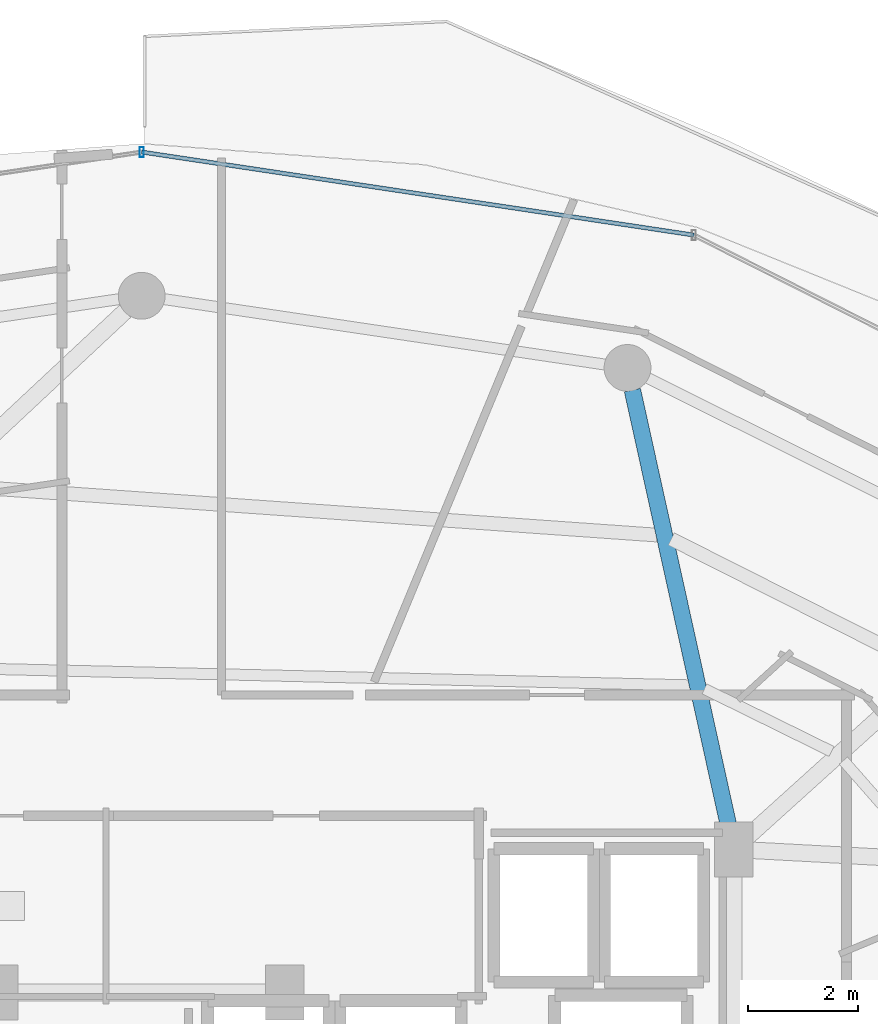
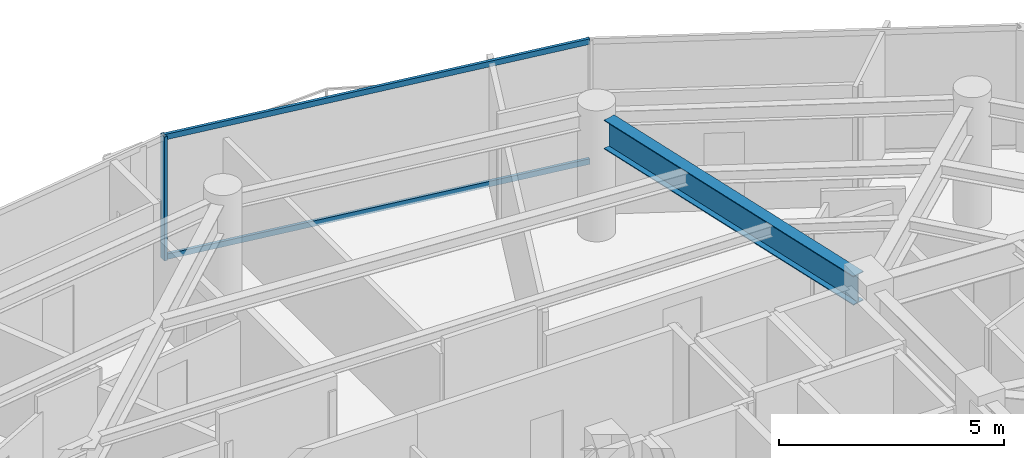
# One storey, part 20 of 31: 3 members, 1 beam, 1 element without a shape of its own.
"""IFC4 building model written with IfcOpenShell, lengths in metres."""

from ifc_helpers import new_model, si_unit, direction, frame, origin, origin_2d, place, context, subcontext, project, spatial, hollow_rectangle, i_section, extrude, material, material_profile, profile_set, type_object, element, aggregate, save


model = new_model("IFC4")

# Units and contexts
model_context = context("Model", 3, precision=1e-05, world=origin(), true_north=direction((0.0, 1.0)))
body_context = subcontext(model_context, "Body", "Model", "MODEL_VIEW")
ifc_project = project(units=[si_unit("LENGTHUNIT", "METRE"), si_unit("AREAUNIT", "SQUARE_METRE"), si_unit("VOLUMEUNIT", "CUBIC_METRE"), si_unit("PLANEANGLEUNIT", "RADIAN"), si_unit("MASSUNIT", "GRAM", prefix="KILO")], contexts=[model_context])

# Site, building, storey
site_placement = place(None, origin())
site = spatial("IfcSite", under=ifc_project, at=site_placement, CompositionType="ELEMENT")
building_placement = place(site_placement, origin())
building = spatial("IfcBuilding", under=site, at=building_placement, Name="Vorneva Point Tower", CompositionType="ELEMENT")
storey_placement = place(building_placement, frame((0.0, 0.0, 266.199951171875)))
storey = spatial("IfcBuildingStorey", under=building, at=storey_placement, Name="L72", CompositionType="ELEMENT", Elevation=266.199951171875)

# Beam
ifc_material_1 = material(Name="Steel S355", Category="steel")
ifc_material_profile_1 = material_profile(ifc_material_1, i_section(OverallWidth=0.300048828125, OverallDepth=0.7880859375, WebThickness=0.014404296875, FlangeThickness=0.02197265625, at=origin_2d()), Name="80Sh1")
ifc_profile_set_1 = profile_set([ifc_material_profile_1], Name="Steel S355")
beam_type = type_object("IfcBeamType", Name="BM-GRD-80Sh1", PredefinedType="USERDEFINED", material=ifc_profile_set_1)
beam_placement = place(storey_placement, frame((46.909912109375, 41.4873046875, 2.89599609375), z_axis=(0.215520742957, -0.976499262342, 0.0), x_axis=(0.976499262342, 0.215520742957, 0.0)))
element("IfcBeam", 1, at=beam_placement, inside=storey, type_object=beam_type, Name="L72 Radial Primary Girder 04", ObjectType="GIRDER", PredefinedType="USERDEFINED", context=body_context, shape_type="SweptSolid", body=[
    extrude(i_section(OverallWidth=0.300048828125, OverallDepth=0.7880859375, WebThickness=0.014404296875, FlangeThickness=0.02197265625, at=origin_2d()), origin(), (0.0, 0.0, 1.0), 8.197998046875),
])

# Curtain wall, members
ifc_material_2 = material(Name="Pale anodised aluminium", Category="aluminium")
curtain_wall_type = type_object("IfcCurtainWallType", Name="CW-RES-SYS", PredefinedType="NOTDEFINED", material=ifc_material_2)
curtain_wall_placement = place(storey_placement, origin())
curtain_wall = element("IfcCurtainWall", 2, at=curtain_wall_placement, inside=storey, type_object=curtain_wall_type, Name="L72 Unitised Curtain Wall CW-L72-R02", PredefinedType="NOTDEFINED")
ifc_material_profile_2 = material_profile(ifc_material_2, hollow_rectangle(XDim=0.074951171875, YDim=0.179931640625, WallThickness=0.00390625, at=origin_2d()), Name="AL-MUL 180x75x4")
ifc_profile_set_2 = profile_set([ifc_material_profile_2], Name="Pale anodised aluminium")
member_type_1 = type_object("IfcMemberType", Name="CW-MUL-180", PredefinedType="MULLION", material=ifc_profile_set_2)
member_1_placement = place(storey_placement, frame((38.0, 45.81005859375, -0.0400390625), z_axis=(0.0, 0.0, 1.0), x_axis=(1.0, 0.0, 0.0)))
member_1 = element("IfcMember", 3, at=member_1_placement, type_object=member_type_1, Name="CW-L72-R02 Mullion 03", PredefinedType="MULLION", context=body_context, shape_type="SweptSolid", body=[
    extrude(hollow_rectangle(XDim=0.074951171875, YDim=0.179931640625, WallThickness=0.00390625, at=origin_2d()), origin(), (0.0, 0.0, 1.0), 3.360107421875),
])
ifc_material_profile_3 = material_profile(ifc_material_2, hollow_rectangle(XDim=0.074951171875, YDim=0.14990234375, WallThickness=0.00390625, at=origin_2d()), Name="AL-TRN 150x75x4")
ifc_profile_set_3 = profile_set([ifc_material_profile_3], Name="Pale anodised aluminium")
member_type_2 = type_object("IfcMemberType", Name="CW-TRN-150", PredefinedType="USERDEFINED", material=ifc_profile_set_3)
member_2_placement = place(storey_placement, frame((48.0263671875, 44.302001953125, 0.02001953125), z_axis=(-0.988876929856, 0.148736066907, 0.0), x_axis=(-0.148736066907, -0.988876929856, 0.0)))
member_2 = element("IfcMember", 4, at=member_2_placement, type_object=member_type_2, Name="CW-L72-R02 Transom 02.1", ObjectType="TRANSOM", PredefinedType="USERDEFINED", context=body_context, shape_type="SweptSolid", body=[
    extrude(hollow_rectangle(XDim=0.074951171875, YDim=0.14990234375, WallThickness=0.00390625, at=origin_2d()), origin(), (0.0, 0.0, 1.0), 10.13916015625),
])
member_3_placement = place(storey_placement, frame((48.0263671875, 44.302001953125, 3.27001953125), z_axis=(-0.988876929856, 0.148736066907, 0.0), x_axis=(-0.148736066907, -0.988876929856, 0.0)))
member_3 = element("IfcMember", 5, at=member_3_placement, type_object=member_type_2, Name="CW-L72-R02 Transom 02.2", ObjectType="TRANSOM", PredefinedType="USERDEFINED", context=body_context, shape_type="SweptSolid", body=[
    extrude(hollow_rectangle(XDim=0.074951171875, YDim=0.14990234375, WallThickness=0.00390625, at=origin_2d()), origin(), (0.0, 0.0, 1.0), 10.13916015625),
])
aggregate(curtain_wall, [member_1, member_2, member_3])

save(model, "model.ifc")
